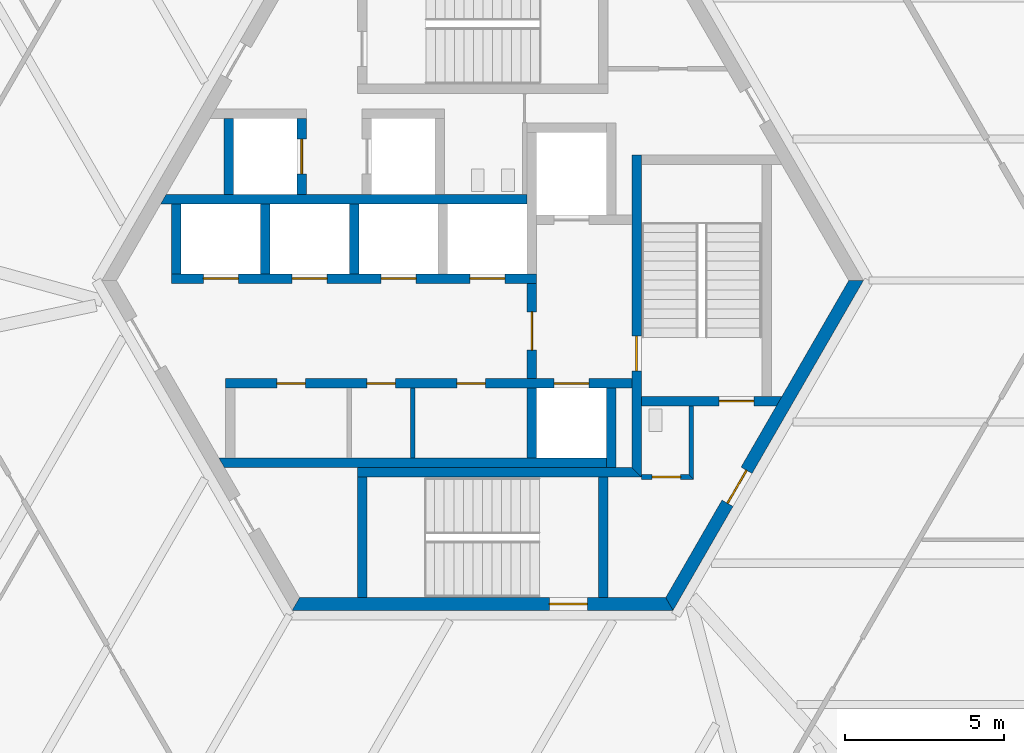
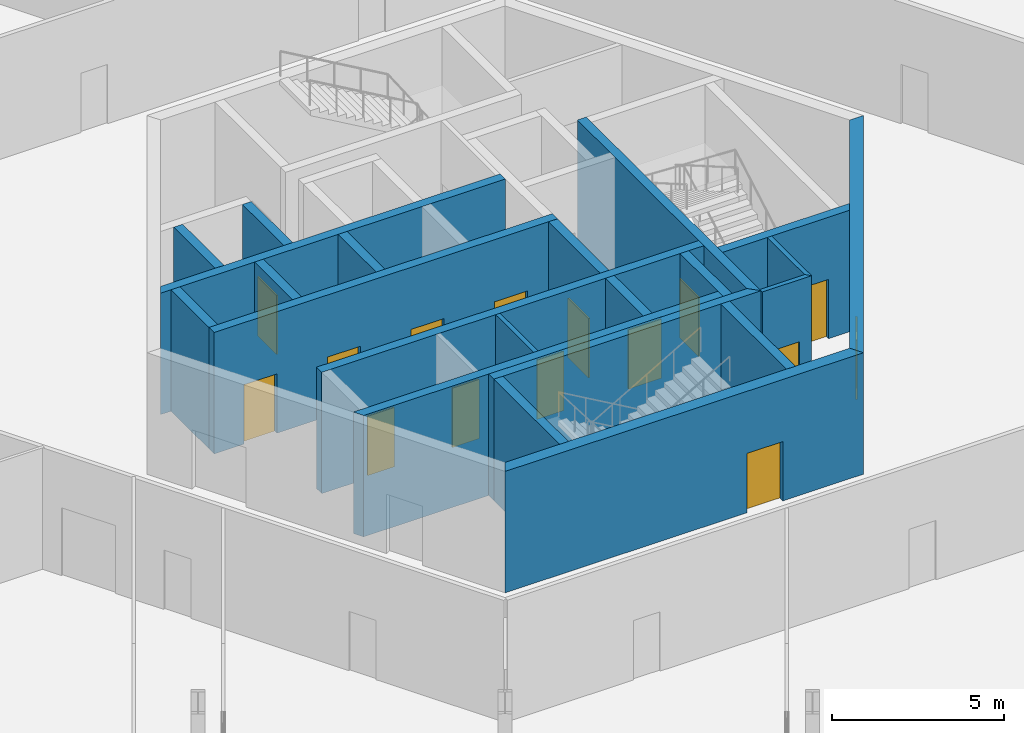
# One storey, part 19 of 25: 22 walls, 15 doors, 15 openings.
"""IFC4 building model written with IfcOpenShell, lengths in metres."""

import ifcopenshell
import ifcopenshell.guid

model = None  # the IFC model being written
_history = None  # IfcOwnerHistory: only IFC2X3 demands one
_inside = {}  # id of a spatial element -> (the spatial element, [elements in it])
_under = {}  # id of a project, library or spatial element -> (it, [spatial elements below it])
_declared = {}  # id of a project -> (the project, [libraries it declares])
_typed = {}  # id of a type object -> (the type object, [elements of that type])
_made_of = {}  # id of a material, layer set ... -> (it, [elements and type objects made of it])


def new_model(schema):
    """Start an empty IFC model of exactly this schema.

    Asked for "IFC4X3", IfcOpenShell would pick the latest addendum, in which some entities
    have other attributes; the version numbers below select the first issue.
    IFC2X3 requires an IfcOwnerHistory on every rooted entity: one is made here for all.
    """
    global model, _history
    if schema == "IFC4X3":
        model = ifcopenshell.file(schema_version=(4, 3, 0, 0))
    else:
        model = ifcopenshell.file(schema=schema)
    _inside.clear()
    _under.clear()
    _declared.clear()
    _typed.clear()
    _made_of.clear()
    _history = None
    if model.schema == "IFC2X3":
        org = make("IfcOrganization", Name="unknown")
        user = make(
            "IfcPersonAndOrganization",
            ThePerson=make("IfcPerson", FamilyName="unknown"),
            TheOrganization=org,
        )
        app = make(
            "IfcApplication",
            ApplicationDeveloper=org,
            Version="unknown",
            ApplicationFullName="unknown",
            ApplicationIdentifier="unknown",
        )
        _history = make(
            "IfcOwnerHistory",
            OwningUser=user,
            OwningApplication=app,
            ChangeAction="ADDED",
            CreationDate=0,
        )
    return model


def make(cls, **values):
    """One entity of the class cls with the attributes given. An attribute that is None is left unset."""
    return model.create_entity(
        cls, **{name: value for name, value in values.items() if value is not None}
    )


def rooted(cls, **values):
    """An entity with a GlobalId (a new one), such as an element, a storey or a relation."""
    return make(cls, GlobalId=ifcopenshell.guid.new(), OwnerHistory=_history, **values)


def si_unit(unit_type, name, prefix=None):
    """IfcSIUnit, for example si_unit("LENGTHUNIT", "METRE", prefix="MILLI")."""
    return make("IfcSIUnit", UnitType=unit_type, Prefix=prefix, Name=name)


def assignment(units):
    """IfcUnitAssignment: the units of a project."""
    return None if units is None else make("IfcUnitAssignment", Units=units)


def point(xyz):
    """IfcCartesianPoint."""
    return None if xyz is None else make("IfcCartesianPoint", Coordinates=xyz)


def direction(xyz):
    """IfcDirection."""
    return None if xyz is None else make("IfcDirection", DirectionRatios=xyz)


def frame(location, z_axis=None, x_axis=None):
    """IfcAxis2Placement3D, a coordinate frame: its origin and axes. An axis left out is left unset."""
    return make(
        "IfcAxis2Placement3D",
        Location=point(location),
        Axis=direction(z_axis),
        RefDirection=direction(x_axis),
    )


def frame_2d(location, x_axis=None):
    """IfcAxis2Placement2D, a coordinate frame in the plane: its origin and x axis."""
    return make(
        "IfcAxis2Placement2D", Location=point(location), RefDirection=direction(x_axis)
    )


def origin():
    """The frame at (0, 0, 0) with its axes left unset."""
    return frame((0.0, 0.0, 0.0))


def place(relative_to, where):
    """IfcLocalPlacement: puts the frame where relative to a parent placement (None: the world)."""
    return make(
        "IfcLocalPlacement", PlacementRelTo=relative_to, RelativePlacement=where
    )


def context(
    kind, dimensions, precision=None, world=None, true_north=None, identifier=None
):
    """IfcGeometricRepresentationContext, for example the 3D "Model" context."""
    return make(
        "IfcGeometricRepresentationContext",
        ContextIdentifier=identifier,
        ContextType=kind,
        CoordinateSpaceDimension=dimensions,
        Precision=precision,
        WorldCoordinateSystem=world,
        TrueNorth=true_north,
    )


def subcontext(parent, identifier, kind, view, scale=None):
    """IfcGeometricRepresentationSubContext, for example "Body" below "Model"."""
    return make(
        "IfcGeometricRepresentationSubContext",
        ContextIdentifier=identifier,
        ContextType=kind,
        ParentContext=parent,
        TargetScale=scale,
        TargetView=view,
    )


def project(units=None, contexts=None):
    """IfcProject with its units and contexts."""
    return rooted(
        "IfcProject",
        Name="project",
        RepresentationContexts=contexts,
        UnitsInContext=assignment(units),
    )


def spatial(cls, under=None, at=None, **own):
    """A site, building, storey or space (cls), placed at a placement, below another one or the project."""
    s = rooted(cls, ObjectPlacement=at, **own)
    if under is not None:
        _under.setdefault(under.id(), (under, []))[1].append(s)
    return s


def polyline(points):
    """IfcPolyline through the points."""
    return make("IfcPolyline", Points=[point(p) for p in points])


def profile(cls, at=None, kind="AREA", **sizes):
    """A parametric profile (cls). Its sizes go by their IFC names, for example OverallWidth=200.0."""
    return make(cls, ProfileType=kind, Position=at, **sizes)


def rectangle(**sizes):
    """IfcRectangleProfileDef."""
    return profile("IfcRectangleProfileDef", **sizes)


def outline(outer, holes=None, kind="AREA"):
    """IfcArbitraryClosedProfileDef: a profile drawn as a closed curve; with holes, ...WithVoids."""
    if holes is None:
        return make("IfcArbitraryClosedProfileDef", ProfileType=kind, OuterCurve=outer)
    return make(
        "IfcArbitraryProfileDefWithVoids",
        ProfileType=kind,
        OuterCurve=outer,
        InnerCurves=holes,
    )


def extrude(swept, where, along, depth):
    """IfcExtrudedAreaSolid: the profile swept, set in the frame where, extruded along a direction by depth."""
    return make(
        "IfcExtrudedAreaSolid",
        SweptArea=swept,
        Position=where,
        ExtrudedDirection=direction(along),
        Depth=depth,
    )


def shape(context_of_items, identifier, shape_type, items):
    """IfcShapeRepresentation: the items that make up one representation, for example the "Body"."""
    return make(
        "IfcShapeRepresentation",
        ContextOfItems=context_of_items,
        RepresentationIdentifier=identifier,
        RepresentationType=shape_type,
        Items=items,
    )


def source(mapping_origin, context_of_items, identifier, shape_type, items):
    """IfcRepresentationMap: a shape defined once, which mapped items show again and again."""
    return make(
        "IfcRepresentationMap",
        MappingOrigin=mapping_origin,
        MappedRepresentation=shape(context_of_items, identifier, shape_type, items),
    )


def transform(
    local_origin,
    x_axis=None,
    y_axis=None,
    z_axis=None,
    scale=None,
    scale2=None,
    scale3=None,
    uniform=True,
):
    """IfcCartesianTransformationOperator3D, or its non-uniform kind. x_axis, y_axis, z_axis: its Axis1, 2, 3."""
    if uniform:
        return make(
            "IfcCartesianTransformationOperator3D",
            Axis1=direction(x_axis),
            Axis2=direction(y_axis),
            LocalOrigin=point(local_origin),
            Scale=scale,
            Axis3=direction(z_axis),
        )
    return make(
        "IfcCartesianTransformationOperator3DnonUniform",
        Axis1=direction(x_axis),
        Axis2=direction(y_axis),
        LocalOrigin=point(local_origin),
        Scale=scale,
        Axis3=direction(z_axis),
        Scale2=scale2,
        Scale3=scale3,
    )


def mapped(mapping_source, mapping_target):
    """IfcMappedItem: shows the shape of a source again, moved by a transform."""
    return make(
        "IfcMappedItem", MappingSource=mapping_source, MappingTarget=mapping_target
    )


def material(Name=None, Category=None):
    """IfcMaterial."""
    return make("IfcMaterial", Name=Name, Category=Category)


def layer(
    of_material, thickness, ventilated=None, Name=None, Category=None, Priority=None
):
    """IfcMaterialLayer: one layer of a wall or slab, of a material (None: an air gap)."""
    return make(
        "IfcMaterialLayer",
        Material=of_material,
        LayerThickness=thickness,
        IsVentilated=ventilated,
        Name=Name,
        Category=Category,
        Priority=Priority,
    )


def layer_set(layers, Name=None):
    """IfcMaterialLayerSet."""
    return make("IfcMaterialLayerSet", MaterialLayers=layers, LayerSetName=Name)


def made_of(thing, what):
    """Note that an element or type object is made of a material, layer set ...; save() writes the relation."""
    if what is not None:
        _made_of.setdefault(what.id(), (what, []))[1].append(thing)
    return thing


def type_object(cls, material=None, **own):
    """A type object (cls), such as IfcWallType, which elements share."""
    return made_of(rooted(cls, **own), material)


def element(
    cls,
    number,
    at=None,
    inside=None,
    cuts=None,
    type_object=None,
    material=None,
    context=None,
    identifier="Body",
    shape_type=None,
    held_by="IfcProductDefinitionShape",
    body=None,
    shapes=None,
    **own,
):
    """One element of the class cls, such as IfcWall. Its Tag is "e" and its number.

    at: its placement. inside: the storey or other place that contains it. cuts: it is an
    opening in that element (IfcRelVoidsElement). A single representation is given by context,
    identifier, shape_type and body (its items); several are given by shapes. held_by: the class
    of the entity that holds the representations. save() writes the other relations.
    """
    e = rooted(cls, Tag="e%d" % number, ObjectPlacement=at, **own)
    if body is not None:
        shapes = [shape(context, identifier, shape_type, body)]
    if shapes is not None:
        e.Representation = make(held_by, Representations=shapes)
    if inside is not None:
        _inside.setdefault(inside.id(), (inside, []))[1].append(e)
    if cuts is not None:
        rooted(
            "IfcRelVoidsElement", RelatingBuildingElement=cuts, RelatedOpeningElement=e
        )
    if type_object is not None:
        _typed.setdefault(type_object.id(), (type_object, []))[1].append(e)
    return made_of(e, material)


def fill(opening, filler):
    """IfcRelFillsElement: the door or window that sits in an opening."""
    return rooted(
        "IfcRelFillsElement",
        RelatingOpeningElement=opening,
        RelatedBuildingElement=filler,
    )


def aggregate(whole, parts):
    """IfcRelAggregates: a whole, such as a stair, and the parts it consists of."""
    return rooted("IfcRelAggregates", RelatingObject=whole, RelatedObjects=parts)


def save(model, path):
    """Write the relations noted so far, then the file.

    IfcRelAggregates (storeys below a building ...), IfcRelContainedInSpatialStructure (elements
    in a storey), IfcRelDefinesByType, IfcRelAssociatesMaterial and IfcRelDeclares: one each for
    every whole, place, type object, material and project.
    """
    for whole, parts in _under.values():
        aggregate(whole, parts)
    for where, things in _inside.values():
        rooted(
            "IfcRelContainedInSpatialStructure",
            RelatedElements=things,
            RelatingStructure=where,
        )
    for kind, things in _typed.values():
        rooted("IfcRelDefinesByType", RelatedObjects=things, RelatingType=kind)
    for what, things in _made_of.values():
        rooted("IfcRelAssociatesMaterial", RelatedObjects=things, RelatingMaterial=what)
    for by, libraries in _declared.values():
        rooted("IfcRelDeclares", RelatingContext=by, RelatedDefinitions=libraries)
    model.write(path)


model = new_model("IFC4")

# Units and contexts
model_context = context("Model", 3, precision=1e-05, world=origin(), true_north=direction((0.0, 1.0)))
body_context = subcontext(model_context, "Body", "Model", "MODEL_VIEW")
ifc_project = project(units=[si_unit("LENGTHUNIT", "METRE"), si_unit("AREAUNIT", "SQUARE_METRE"), si_unit("VOLUMEUNIT", "CUBIC_METRE"), si_unit("PLANEANGLEUNIT", "RADIAN"), si_unit("MASSUNIT", "GRAM", prefix="KILO")], contexts=[model_context])

# Site, building, storey
site_placement = place(None, origin())
site = spatial("IfcSite", under=ifc_project, at=site_placement, CompositionType="ELEMENT")
building_placement = place(site_placement, origin())
building = spatial("IfcBuilding", under=site, at=building_placement, Name="Triune Harvest Tower", CompositionType="ELEMENT")
storey_placement = place(building_placement, frame((0.0, 0.0, 11.5)))
storey = spatial("IfcBuildingStorey", under=building, at=storey_placement, Name="L02", CompositionType="ELEMENT", Elevation=11.5)

# Wall, opening, door
ifc_material_1 = material(Name="Concrete 70 MPa", Category="concrete")
ifc_layer_1 = layer(ifc_material_1, 0.39990234375)
ifc_layer_set_1 = layer_set([ifc_layer_1], Name="Concrete 70 MPa")
wall_type_1 = type_object("IfcWallType", Name="Core wall 400", PredefinedType="SHEAR", material=ifc_layer_set_1)
shared_shape_1 = source(origin(), body_context, "Body", "SweptSolid", [
    extrude(outline(polyline([(-0.115478515625, -0.199951171875), (11.884521484375, -0.199951171875), (11.653564453125, 0.199951171875), (0.115478515625, 0.199951171875), (-0.115478515625, -0.199951171875)])), origin(), (0.0, 0.0, 1.0), 4.300048828125),
])
wall_1_placement = place(storey_placement, frame((-5.884521484375, -10.1923828125, 0.0), z_axis=(0.0, 0.0, 1.0), x_axis=(1.0, 0.0, 0.0)))
wall_1 = element("IfcWall", 1, at=wall_1_placement, inside=storey, type_object=wall_type_1, Name="Hexagon 4 wall", PredefinedType="SHEAR", context=body_context, shape_type="MappedRepresentation", body=[
    mapped(shared_shape_1, transform((0.0, 0.0, 0.0), scale=1.0)),
])
opening_1_placement = place(wall_1_placement, frame((7.984619140625, 0.0, 0.0)))
opening_1 = element("IfcOpeningElement", 2, at=opening_1_placement, cuts=wall_1, Name="Opening CD-S2P", PredefinedType="OPENING", context=body_context, shape_type="SweptSolid", body=[
    extrude(rectangle(XDim=1.199951171875, YDim=2.10009765625, at=frame_2d((0.60009765625, 1.050048828125))), frame((0.0, 0.2099609375, 0.0), z_axis=(0.0, -1.0, 0.0), x_axis=(1.0, 0.0, 0.0)), (0.0, 0.0, 1.0), 0.419921875),
])
ifc_material_2 = material(Name="Steel S235", Category="steel")
door_type_1 = type_object("IfcDoorType", Name="Stair door 1200 FD120", OperationType="SINGLE_SWING_LEFT", PredefinedType="DOOR", material=ifc_material_2)
door_1_placement = place(opening_1_placement, frame((1.199951171875, 0.0, 0.0), z_axis=(0.0, 0.0, 1.0), x_axis=(-1.0, 0.0, 0.0)))
door_1 = element("IfcDoor", 3, at=door_1_placement, inside=storey, type_object=door_type_1, Name="Door CD-S2P", OperationType="SINGLE_SWING_RIGHT", OverallHeight=2.10009765625, OverallWidth=1.199951171875, PredefinedType="DOOR", context=body_context, shape_type="SweptSolid", body=[
    extrude(rectangle(XDim=1.199951171875, YDim=2.10009765625, at=frame_2d((0.60009765625, 1.050048828125))), frame((0.0, 0.02490234375, 0.0), z_axis=(0.0, -1.0, 0.0), x_axis=(1.0, 0.0, 0.0)), (0.0, 0.0, 1.0), 0.050048828125),
])
fill(opening_1, door_1)

wall_2_placement = place(storey_placement, frame((5.884521484375, -10.1923828125, 0.0), z_axis=(0.0, 0.0, 1.0), x_axis=(0.499996592174, 0.866027371285, 0.0)))
wall_2 = element("IfcWall", 4, at=wall_2_placement, inside=storey, type_object=wall_type_1, Name="Hexagon 5 wall", PredefinedType="SHEAR", context=body_context, shape_type="MappedRepresentation", body=[
    mapped(shared_shape_1, transform((0.0, 0.0, 0.0), scale=1.0)),
])
opening_2_placement = place(wall_2_placement, frame((3.66455078125, 0.0, 0.0)))
opening_2 = element("IfcOpeningElement", 5, at=opening_2_placement, cuts=wall_2, Name="Opening CD-DP", PredefinedType="OPENING", context=body_context, shape_type="SweptSolid", body=[
    extrude(rectangle(XDim=1.199951171875, YDim=2.10009765625, at=frame_2d((0.60009765625, 1.050048828125))), frame((0.0, 0.2099609375, 0.0), z_axis=(0.0, -1.0, 0.0), x_axis=(1.0, 0.0, 0.0)), (0.0, 0.0, 1.0), 0.419921875),
])
door_2_placement = place(opening_2_placement, frame((1.199951171875, 0.0, 0.0), z_axis=(0.0, 0.0, 1.0), x_axis=(-1.0, 0.0, 0.0)))
door_2 = element("IfcDoor", 6, at=door_2_placement, inside=storey, type_object=door_type_1, Name="Door CD-DP", OperationType="SINGLE_SWING_RIGHT", OverallHeight=2.10009765625, OverallWidth=1.199951171875, PredefinedType="DOOR", context=body_context, shape_type="SweptSolid", body=[
    extrude(rectangle(XDim=1.199951171875, YDim=2.10009765625, at=frame_2d((0.60009765625, 1.050048828125))), frame((0.0, 0.02490234375, 0.0), z_axis=(0.0, -1.0, 0.0), x_axis=(1.0, 0.0, 0.0)), (0.0, 0.0, 1.0), 0.050048828125),
])
fill(opening_2, door_2)

# Wall, openings, doors
ifc_material_3 = material(Name="Concrete 70 MPa", Category="concrete")
ifc_layer_2 = layer(ifc_material_3, 0.300048828125)
ifc_layer_set_2 = layer_set([ifc_layer_2], Name="Concrete 70 MPa")
wall_type_2 = type_object("IfcWallType", Name="Core wall 300", PredefinedType="SHEAR", material=ifc_layer_set_2)
shared_shape_2 = source(origin(), body_context, "Body", "SweptSolid", [
    extrude(rectangle(XDim=11.5, YDim=0.300048828125, at=frame_2d((5.75, 0.0))), origin(), (0.0, 0.0, 1.0), 4.300048828125),
])
wall_3_placement = place(storey_placement, frame((-9.800048828125, 0.06005859375, 0.0), z_axis=(0.0, 0.0, 1.0), x_axis=(1.0, 0.0, 0.0)))
wall_3 = element("IfcWall", 7, at=wall_3_placement, inside=storey, type_object=wall_type_2, Name="North front wall", PredefinedType="SHEAR", context=body_context, shape_type="MappedRepresentation", body=[
    mapped(shared_shape_2, transform((0.0, 0.0, 0.0), scale=1.0)),
])
opening_3_placement = place(wall_3_placement, frame((1.0, 0.0, 0.0)))
opening_3 = element("IfcOpeningElement", 8, at=opening_3_placement, cuts=wall_3, Name="Opening LD-LR1-02", PredefinedType="OPENING", context=body_context, shape_type="SweptSolid", body=[
    extrude(rectangle(XDim=1.10009765625, YDim=2.10009765625, at=frame_2d((0.550048828125, 1.050048828125))), frame((0.0, 0.16015625, 0.0), z_axis=(0.0, -1.0, 0.0), x_axis=(1.0, 0.0, 0.0)), (0.0, 0.0, 1.0), 0.320068359375),
])
opening_4_placement = place(wall_3_placement, frame((3.800048828125, 0.0, 0.0)))
opening_4 = element("IfcOpeningElement", 9, at=opening_4_placement, cuts=wall_3, Name="Opening LD-LR2-02", PredefinedType="OPENING", context=body_context, shape_type="SweptSolid", body=[
    extrude(rectangle(XDim=1.10009765625, YDim=2.10009765625, at=frame_2d((0.550048828125, 1.050048828125))), frame((0.0, 0.16015625, 0.0), z_axis=(0.0, -1.0, 0.0), x_axis=(1.0, 0.0, 0.0)), (0.0, 0.0, 1.0), 0.320068359375),
])
opening_5_placement = place(wall_3_placement, frame((6.60009765625, 0.0, 0.0)))
opening_5 = element("IfcOpeningElement", 10, at=opening_5_placement, cuts=wall_3, Name="Opening LD-LR3-02", PredefinedType="OPENING", context=body_context, shape_type="SweptSolid", body=[
    extrude(rectangle(XDim=1.10009765625, YDim=2.10009765625, at=frame_2d((0.550048828125, 1.050048828125))), frame((0.0, 0.16015625, 0.0), z_axis=(0.0, -1.0, 0.0), x_axis=(1.0, 0.0, 0.0)), (0.0, 0.0, 1.0), 0.320068359375),
])
opening_6_placement = place(wall_3_placement, frame((9.39990234375, 0.0, 0.0)))
opening_6 = element("IfcOpeningElement", 11, at=opening_6_placement, cuts=wall_3, Name="Opening LD-LR4-02", PredefinedType="OPENING", context=body_context, shape_type="SweptSolid", body=[
    extrude(rectangle(XDim=1.10009765625, YDim=2.10009765625, at=frame_2d((0.550048828125, 1.050048828125))), frame((0.0, 0.16015625, 0.0), z_axis=(0.0, -1.0, 0.0), x_axis=(1.0, 0.0, 0.0)), (0.0, 0.0, 1.0), 0.320068359375),
])
ifc_material_4 = material(Name="Stainless steel AISI 304", Category="steel")
door_type_2 = type_object("IfcDoorType", Name="Landing door 1100 x 2100", OperationType="DOUBLE_DOOR_SLIDING", PredefinedType="DOOR", material=ifc_material_4)
door_3_placement = place(opening_3_placement, origin())
door_3 = element("IfcDoor", 12, at=door_3_placement, inside=storey, type_object=door_type_2, Name="Door LD-LR1-02", OperationType="DOUBLE_DOOR_SLIDING", OverallHeight=2.10009765625, OverallWidth=1.10009765625, PredefinedType="DOOR", context=body_context, shape_type="SweptSolid", body=[
    extrude(rectangle(XDim=1.10009765625, YDim=2.10009765625, at=frame_2d((0.550048828125, 1.050048828125))), frame((0.0, 0.02490234375, 0.0), z_axis=(0.0, -1.0, 0.0), x_axis=(1.0, 0.0, 0.0)), (0.0, 0.0, 1.0), 0.050048828125),
])
fill(opening_3, door_3)
door_4_placement = place(opening_4_placement, origin())
door_4 = element("IfcDoor", 13, at=door_4_placement, inside=storey, type_object=door_type_2, Name="Door LD-LR2-02", OperationType="DOUBLE_DOOR_SLIDING", OverallHeight=2.10009765625, OverallWidth=1.10009765625, PredefinedType="DOOR", context=body_context, shape_type="SweptSolid", body=[
    extrude(rectangle(XDim=1.10009765625, YDim=2.10009765625, at=frame_2d((0.550048828125, 1.050048828125))), frame((0.0, 0.02490234375, 0.0), z_axis=(0.0, -1.0, 0.0), x_axis=(1.0, 0.0, 0.0)), (0.0, 0.0, 1.0), 0.050048828125),
])
fill(opening_4, door_4)
door_5_placement = place(opening_5_placement, origin())
door_5 = element("IfcDoor", 14, at=door_5_placement, inside=storey, type_object=door_type_2, Name="Door LD-LR3-02", OperationType="DOUBLE_DOOR_SLIDING", OverallHeight=2.10009765625, OverallWidth=1.10009765625, PredefinedType="DOOR", context=body_context, shape_type="SweptSolid", body=[
    extrude(rectangle(XDim=1.10009765625, YDim=2.10009765625, at=frame_2d((0.550048828125, 1.050048828125))), frame((0.0, 0.02490234375, 0.0), z_axis=(0.0, -1.0, 0.0), x_axis=(1.0, 0.0, 0.0)), (0.0, 0.0, 1.0), 0.050048828125),
])
fill(opening_5, door_5)
door_6_placement = place(opening_6_placement, origin())
door_6 = element("IfcDoor", 15, at=door_6_placement, inside=storey, type_object=door_type_2, Name="Door LD-LR4-02", OperationType="DOUBLE_DOOR_SLIDING", OverallHeight=2.10009765625, OverallWidth=1.10009765625, PredefinedType="DOOR", context=body_context, shape_type="SweptSolid", body=[
    extrude(rectangle(XDim=1.10009765625, YDim=2.10009765625, at=frame_2d((0.550048828125, 1.050048828125))), frame((0.0, 0.02490234375, 0.0), z_axis=(0.0, -1.0, 0.0), x_axis=(1.0, 0.0, 0.0)), (0.0, 0.0, 1.0), 0.050048828125),
])
fill(opening_6, door_6)

# Walls
shared_shape_3 = source(origin(), body_context, "Body", "SweptSolid", [
    extrude(outline(polyline([(11.199951171875, -0.14990234375), (-0.34912109375, -0.14990234375), (-0.17578125, 0.14990234375), (11.199951171875, 0.14990234375), (11.199951171875, -0.14990234375)])), origin(), (0.0, 0.0, 1.0), 4.300048828125),
])
wall_4_placement = place(storey_placement, frame((-9.800048828125, 2.56005859375, 0.0), z_axis=(0.0, 0.0, 1.0), x_axis=(1.0, 0.0, 0.0)))
element("IfcWall", 16, at=wall_4_placement, inside=storey, type_object=wall_type_2, Name="North back wall", PredefinedType="SHEAR", context=body_context, shape_type="MappedRepresentation", body=[
    mapped(shared_shape_3, transform((0.0, 0.0, 0.0), scale=1.0)),
])
shared_shape_4 = source(origin(), body_context, "Body", "SweptSolid", [
    extrude(rectangle(XDim=2.5, YDim=0.300048828125, at=frame_2d((1.25, 0.0))), origin(), (0.0, 0.0, 1.0), 4.300048828125),
])
wall_5_placement = place(storey_placement, frame((4.050048828125, -5.889892578125, 0.0), z_axis=(0.0, 0.0, 1.0), x_axis=(0.0, 1.0, 0.0)))
element("IfcWall", 17, at=wall_5_placement, inside=storey, type_object=wall_type_2, Name="Ff2 east wall", PredefinedType="SHEAR", context=body_context, shape_type="MappedRepresentation", body=[
    mapped(shared_shape_4, transform((0.0, 0.0, 0.0), scale=1.0)),
])

# Wall, opening, door
shared_shape_5 = source(origin(), body_context, "Body", "SweptSolid", [
    extrude(rectangle(XDim=3.0, YDim=0.300048828125, at=frame_2d((1.5, 0.0))), origin(), (0.0, 0.0, 1.0), 4.300048828125),
])
wall_6_placement = place(storey_placement, frame((1.550048828125, -3.090087890625, 0.0), z_axis=(0.0, 0.0, 1.0), x_axis=(0.0, 1.0, 0.0)))
wall_6 = element("IfcWall", 18, at=wall_6_placement, inside=storey, type_object=wall_type_2, Name="Ff lobby west wall", PredefinedType="SHEAR", context=body_context, shape_type="MappedRepresentation", body=[
    mapped(shared_shape_5, transform((0.0, 0.0, 0.0), scale=1.0)),
])
opening_7_placement = place(wall_6_placement, frame((0.89990234375, 0.0, 0.0)))
opening_7 = element("IfcOpeningElement", 19, at=opening_7_placement, cuts=wall_6, Name="Opening CD-FL", PredefinedType="OPENING", context=body_context, shape_type="SweptSolid", body=[
    extrude(rectangle(XDim=1.199951171875, YDim=2.10009765625, at=frame_2d((0.60009765625, 1.050048828125))), frame((0.0, 0.16015625, 0.0), z_axis=(0.0, -1.0, 0.0), x_axis=(1.0, 0.0, 0.0)), (0.0, 0.0, 1.0), 0.320068359375),
])
ifc_material_5 = material(Name="Steel S235", Category="steel")
door_type_3 = type_object("IfcDoorType", Name="Firefighters' lobby door 1200 FD120", OperationType="SINGLE_SWING_LEFT", PredefinedType="DOOR", material=ifc_material_5)
door_7_placement = place(opening_7_placement, frame((1.199951171875, 0.0, 0.0), z_axis=(0.0, 0.0, 1.0), x_axis=(-1.0, 0.0, 0.0)))
door_7 = element("IfcDoor", 20, at=door_7_placement, inside=storey, type_object=door_type_3, Name="Door CD-FL", OperationType="SINGLE_SWING_RIGHT", OverallHeight=2.10009765625, OverallWidth=1.199951171875, PredefinedType="DOOR", context=body_context, shape_type="SweptSolid", body=[
    extrude(rectangle(XDim=1.199951171875, YDim=2.10009765625, at=frame_2d((0.60009765625, 1.050048828125))), frame((0.0, 0.02490234375, 0.0), z_axis=(0.0, -1.0, 0.0), x_axis=(1.0, 0.0, 0.0)), (0.0, 0.0, 1.0), 0.050048828125),
])
fill(opening_7, door_7)

# Wall, openings, doors
shared_shape_6 = source(origin(), body_context, "Body", "SweptSolid", [
    extrude(rectangle(XDim=12.800048828125, YDim=0.300048828125, at=frame_2d((6.39990234375, 0.0))), origin(), (0.0, 0.0, 1.0), 4.300048828125),
])
wall_7_placement = place(storey_placement, frame((-8.10009765625, -3.239990234375, 0.0), z_axis=(0.0, 0.0, 1.0), x_axis=(1.0, 0.0, 0.0)))
wall_7 = element("IfcWall", 21, at=wall_7_placement, inside=storey, type_object=wall_type_2, Name="South front wall", PredefinedType="SHEAR", context=body_context, shape_type="MappedRepresentation", body=[
    mapped(shared_shape_6, transform((0.0, 0.0, 0.0), scale=1.0)),
])
opening_8_placement = place(wall_7_placement, frame((1.612548828125, 0.0, 0.0)))
opening_8 = element("IfcOpeningElement", 22, at=opening_8_placement, cuts=wall_7, Name="Opening CD-RS1", PredefinedType="OPENING", context=body_context, shape_type="SweptSolid", body=[
    extrude(rectangle(XDim=0.89990234375, YDim=2.10009765625, at=frame_2d((0.449951171875, 1.050048828125))), frame((0.0, 0.16015625, 0.0), z_axis=(0.0, -1.0, 0.0), x_axis=(1.0, 0.0, 0.0)), (0.0, 0.0, 1.0), 0.320068359375),
])
opening_9_placement = place(wall_7_placement, frame((4.449951171875, 0.0, 0.0)))
opening_9 = element("IfcOpeningElement", 23, at=opening_9_placement, cuts=wall_7, Name="Opening CD-RS2", PredefinedType="OPENING", context=body_context, shape_type="SweptSolid", body=[
    extrude(rectangle(XDim=0.89990234375, YDim=2.10009765625, at=frame_2d((0.449951171875, 1.050048828125))), frame((0.0, 0.16015625, 0.0), z_axis=(0.0, -1.0, 0.0), x_axis=(1.0, 0.0, 0.0)), (0.0, 0.0, 1.0), 0.320068359375),
])
opening_10_placement = place(wall_7_placement, frame((7.28759765625, 0.0, 0.0)))
opening_10 = element("IfcOpeningElement", 24, at=opening_10_placement, cuts=wall_7, Name="Opening CD-RS3", PredefinedType="OPENING", context=body_context, shape_type="SweptSolid", body=[
    extrude(rectangle(XDim=0.89990234375, YDim=2.10009765625, at=frame_2d((0.449951171875, 1.050048828125))), frame((0.0, 0.16015625, 0.0), z_axis=(0.0, -1.0, 0.0), x_axis=(1.0, 0.0, 0.0)), (0.0, 0.0, 1.0), 0.320068359375),
])
opening_11_placement = place(wall_7_placement, frame((10.35009765625, 0.0, 0.0)))
opening_11 = element("IfcOpeningElement", 25, at=opening_11_placement, cuts=wall_7, Name="Opening LD-FF2-02", PredefinedType="OPENING", context=body_context, shape_type="SweptSolid", body=[
    extrude(rectangle(XDim=1.10009765625, YDim=2.10009765625, at=frame_2d((0.550048828125, 1.050048828125))), frame((0.0, 0.16015625, 0.0), z_axis=(0.0, -1.0, 0.0), x_axis=(1.0, 0.0, 0.0)), (0.0, 0.0, 1.0), 0.320068359375),
])
door_8_placement = place(opening_11_placement, origin())
door_8 = element("IfcDoor", 26, at=door_8_placement, inside=storey, type_object=door_type_2, Name="Door LD-FF2-02", OperationType="DOUBLE_DOOR_SLIDING", OverallHeight=2.10009765625, OverallWidth=1.10009765625, PredefinedType="DOOR", context=body_context, shape_type="SweptSolid", body=[
    extrude(rectangle(XDim=1.10009765625, YDim=2.10009765625, at=frame_2d((0.550048828125, 1.050048828125))), frame((0.0, 0.02490234375, 0.0), z_axis=(0.0, -1.0, 0.0), x_axis=(1.0, 0.0, 0.0)), (0.0, 0.0, 1.0), 0.050048828125),
])
fill(opening_11, door_8)
ifc_material_6 = material(Name="Steel S235", Category="steel")
door_type_4 = type_object("IfcDoorType", Name="Riser door 900 FD120", OperationType="SINGLE_SWING_LEFT", PredefinedType="DOOR", material=ifc_material_6)
door_9_placement = place(opening_8_placement, origin())
door_9 = element("IfcDoor", 27, at=door_9_placement, inside=storey, type_object=door_type_4, Name="Door CD-RS1", OperationType="SINGLE_SWING_LEFT", OverallHeight=2.10009765625, OverallWidth=0.89990234375, PredefinedType="DOOR", context=body_context, shape_type="SweptSolid", body=[
    extrude(rectangle(XDim=0.89990234375, YDim=2.10009765625, at=frame_2d((0.449951171875, 1.050048828125))), frame((0.0, 0.02490234375, 0.0), z_axis=(0.0, -1.0, 0.0), x_axis=(1.0, 0.0, 0.0)), (0.0, 0.0, 1.0), 0.050048828125),
])
fill(opening_8, door_9)
door_10_placement = place(opening_9_placement, origin())
door_10 = element("IfcDoor", 28, at=door_10_placement, inside=storey, type_object=door_type_4, Name="Door CD-RS2", OperationType="SINGLE_SWING_LEFT", OverallHeight=2.10009765625, OverallWidth=0.89990234375, PredefinedType="DOOR", context=body_context, shape_type="SweptSolid", body=[
    extrude(rectangle(XDim=0.89990234375, YDim=2.10009765625, at=frame_2d((0.449951171875, 1.050048828125))), frame((0.0, 0.02490234375, 0.0), z_axis=(0.0, -1.0, 0.0), x_axis=(1.0, 0.0, 0.0)), (0.0, 0.0, 1.0), 0.050048828125),
])
fill(opening_9, door_10)
door_11_placement = place(opening_10_placement, origin())
door_11 = element("IfcDoor", 29, at=door_11_placement, inside=storey, type_object=door_type_4, Name="Door CD-RS3", OperationType="SINGLE_SWING_LEFT", OverallHeight=2.10009765625, OverallWidth=0.89990234375, PredefinedType="DOOR", context=body_context, shape_type="SweptSolid", body=[
    extrude(rectangle(XDim=0.89990234375, YDim=2.10009765625, at=frame_2d((0.449951171875, 1.050048828125))), frame((0.0, 0.02490234375, 0.0), z_axis=(0.0, -1.0, 0.0), x_axis=(1.0, 0.0, 0.0)), (0.0, 0.0, 1.0), 0.050048828125),
])
fill(opening_10, door_11)

# Walls
shared_shape_7 = source(origin(), body_context, "Body", "SweptSolid", [
    extrude(outline(polyline([(12.0, -0.14990234375), (-0.039794921875, -0.14990234375), (-0.212890625, 0.14990234375), (12.0, 0.14990234375), (12.0, -0.14990234375)])), origin(), (0.0, 0.0, 1.0), 4.300048828125),
])
wall_8_placement = place(storey_placement, frame((-8.10009765625, -5.739990234375, 0.0), z_axis=(0.0, 0.0, 1.0), x_axis=(1.0, 0.0, 0.0)))
element("IfcWall", 30, at=wall_8_placement, inside=storey, type_object=wall_type_2, Name="South back wall", PredefinedType="SHEAR", context=body_context, shape_type="MappedRepresentation", body=[
    mapped(shared_shape_7, transform((0.0, 0.0, 0.0), scale=1.0)),
])
shared_shape_8 = source(origin(), body_context, "Body", "SweptSolid", [
    extrude(rectangle(XDim=2.2001953125, YDim=0.300048828125, at=frame_2d((1.10009765625, 0.0))), origin(), (0.0, 0.0, 1.0), 4.300048828125),
])
wall_9_placement = place(storey_placement, frame((1.550048828125, -5.590087890625, 0.0), z_axis=(0.0, 0.0, 1.0), x_axis=(0.0, 1.0, 0.0)))
element("IfcWall", 31, at=wall_9_placement, inside=storey, type_object=wall_type_2, Name="Ff2 west wall", PredefinedType="SHEAR", context=body_context, shape_type="MappedRepresentation", body=[
    mapped(shared_shape_8, transform((0.0, 0.0, 0.0), scale=1.0)),
])
shared_shape_9 = source(origin(), body_context, "Body", "SweptSolid", [
    extrude(rectangle(XDim=2.199951171875, YDim=0.300048828125, at=frame_2d((1.10009765625, 0.0))), origin(), (0.0, 0.0, 1.0), 4.300048828125),
])
for number, where, z_axis, x_axis, name in (
    (32, (-9.64990234375, 0.2099609375, 0.0), (0.0, 0.0, 1.0), (0.0, 1.0, 0.0), "North end west wall"),
    (33, (-6.85009765625, 0.2099609375, 0.0), (0.0, 0.0, 1.0), (0.0, 1.0, 0.0), "North cross 1 wall"),
    (34, (-4.050048828125, 0.2099609375, 0.0), (0.0, 0.0, 1.0), (0.0, 1.0, 0.0), "North cross 2 wall"),
):
    element("IfcWall", number, at=place(storey_placement, frame(where, z_axis=z_axis, x_axis=x_axis)), inside=storey, type_object=wall_type_2, Name=name, PredefinedType="SHEAR", context=body_context, shape_type="MappedRepresentation", body=[
        mapped(shared_shape_9, transform((0.0, 0.0, 0.0), scale=1.0)),
    ])

# Wall, opening, door
shared_shape_10 = source(origin(), body_context, "Body", "SweptSolid", [
    extrude(outline(polyline([(-0.14990234375, -0.14990234375), (9.989990234375, -0.14990234375), (9.989990234375, 0.14990234375), (0.14990234375, 0.14990234375), (-0.14990234375, -0.14990234375)])), origin(), (0.0, 0.0, 1.0), 4.300048828125),
])
wall_10_placement = place(storey_placement, frame((4.85009765625, -6.0400390625, 0.0), z_axis=(0.0, 0.0, 1.0), x_axis=(0.0, 1.0, 0.0)))
wall_10 = element("IfcWall", 35, at=wall_10_placement, inside=storey, type_object=wall_type_2, Name="Stair e west wall", PredefinedType="SHEAR", context=body_context, shape_type="MappedRepresentation", body=[
    mapped(shared_shape_10, transform((0.0, 0.0, 0.0), scale=1.0)),
])
opening_12_placement = place(wall_10_placement, frame((3.18994140625, 0.0, 0.0)))
opening_12 = element("IfcOpeningElement", 36, at=opening_12_placement, cuts=wall_10, Name="Opening CD-S3L", PredefinedType="OPENING", context=body_context, shape_type="SweptSolid", body=[
    extrude(rectangle(XDim=1.10009765625, YDim=2.10009765625, at=frame_2d((0.550048828125, 1.050048828125))), frame((0.0, 0.16015625, 0.0), z_axis=(0.0, -1.0, 0.0), x_axis=(1.0, 0.0, 0.0)), (0.0, 0.0, 1.0), 0.320068359375),
])
ifc_material_7 = material(Name="Steel S235", Category="steel")
door_type_5 = type_object("IfcDoorType", Name="Stair door 1100 FD120", OperationType="SINGLE_SWING_LEFT", PredefinedType="DOOR", material=ifc_material_7)
door_12_placement = place(opening_12_placement, frame((1.10009765625, 0.0, 0.0), z_axis=(0.0, 0.0, 1.0), x_axis=(-1.0, 0.0, 0.0)))
door_12 = element("IfcDoor", 37, at=door_12_placement, inside=storey, type_object=door_type_5, Name="Door CD-S3L", OperationType="SINGLE_SWING_RIGHT", OverallHeight=2.10009765625, OverallWidth=1.10009765625, PredefinedType="DOOR", context=body_context, shape_type="SweptSolid", body=[
    extrude(rectangle(XDim=1.10009765625, YDim=2.10009765625, at=frame_2d((0.550048828125, 1.050048828125))), frame((0.0, 0.02490234375, 0.0), z_axis=(0.0, -1.0, 0.0), x_axis=(1.0, 0.0, 0.0)), (0.0, 0.0, 1.0), 0.050048828125),
])
fill(opening_12, door_12)

shared_shape_11 = source(origin(), body_context, "Body", "SweptSolid", [
    extrude(outline(polyline([(0.0, -0.14990234375), (0.0, 0.14990234375), (4.43310546875, 0.14990234375), (4.260009765625, -0.14990234375), (0.0, -0.14990234375)])), origin(), (0.0, 0.0, 1.0), 4.300048828125),
])
wall_11_placement = place(storey_placement, frame((5.0, -3.800048828125, 0.0), z_axis=(0.0, 0.0, 1.0), x_axis=(1.0, 0.0, 0.0)))
wall_11 = element("IfcWall", 38, at=wall_11_placement, inside=storey, type_object=wall_type_2, Name="Stair e south wall", PredefinedType="SHEAR", context=body_context, shape_type="MappedRepresentation", body=[
    mapped(shared_shape_11, transform((0.0, 0.0, 0.0), scale=1.0)),
])
opening_13_placement = place(wall_11_placement, frame((2.449951171875, 0.0, 0.0)))
opening_13 = element("IfcOpeningElement", 39, at=opening_13_placement, cuts=wall_11, Name="Opening CD-S3D", PredefinedType="OPENING", context=body_context, shape_type="SweptSolid", body=[
    extrude(rectangle(XDim=1.10009765625, YDim=2.10009765625, at=frame_2d((0.550048828125, 1.050048828125))), frame((0.0, 0.16015625, 0.0), z_axis=(0.0, -1.0, 0.0), x_axis=(1.0, 0.0, 0.0)), (0.0, 0.0, 1.0), 0.320068359375),
])
door_13_placement = place(opening_13_placement, frame((1.10009765625, 0.0, 0.0), z_axis=(0.0, 0.0, 1.0), x_axis=(-1.0, 0.0, 0.0)))
door_13 = element("IfcDoor", 40, at=door_13_placement, inside=storey, type_object=door_type_5, Name="Door CD-S3D", OperationType="SINGLE_SWING_RIGHT", OverallHeight=2.10009765625, OverallWidth=1.10009765625, PredefinedType="DOOR", context=body_context, shape_type="SweptSolid", body=[
    extrude(rectangle(XDim=1.10009765625, YDim=2.10009765625, at=frame_2d((0.550048828125, 1.050048828125))), frame((0.0, 0.02490234375, 0.0), z_axis=(0.0, -1.0, 0.0), x_axis=(1.0, 0.0, 0.0)), (0.0, 0.0, 1.0), 0.050048828125),
])
fill(opening_13, door_13)

# Walls
shared_shape_12 = source(origin(), body_context, "Body", "SweptSolid", [
    extrude(outline(polyline([(0.0, -0.14990234375), (8.949951171875, -0.14990234375), (8.64990234375, 0.14990234375), (0.0, 0.14990234375), (0.0, -0.14990234375)])), origin(), (0.0, 0.0, 1.0), 4.300048828125),
])
wall_12_placement = place(storey_placement, frame((-3.949951171875, -6.0400390625, 0.0), z_axis=(0.0, 0.0, 1.0), x_axis=(1.0, 0.0, 0.0)))
element("IfcWall", 41, at=wall_12_placement, inside=storey, type_object=wall_type_2, Name="Stair s north wall", PredefinedType="SHEAR", context=body_context, shape_type="MappedRepresentation", body=[
    mapped(shared_shape_12, transform((0.0, 0.0, 0.0), scale=1.0)),
])
shared_shape_13 = source(origin(), body_context, "Body", "SweptSolid", [
    extrude(outline(polyline([(3.800048828125, -0.14990234375), (-0.00439453125, -0.14990234375), (-0.00439453125, 0.14990234375), (3.800048828125, 0.14990234375), (3.800048828125, -0.14990234375)])), origin(), (0.0, 0.0, 1.0), 4.300048828125),
])
for number, where, z_axis, x_axis, name in (
    (42, (-3.800048828125, -9.989990234375, 0.0), (0.0, 0.0, 1.0), (0.0, 1.0, 0.0), "Stair s west wall"),
    (43, (3.800048828125, -9.989990234375, 0.0), (0.0, 0.0, 1.0), (0.0, 1.0, 0.0), "Stair s east wall"),
):
    element("IfcWall", number, at=place(storey_placement, frame(where, z_axis=z_axis, x_axis=x_axis)), inside=storey, type_object=wall_type_2, Name=name, PredefinedType="SHEAR", context=body_context, shape_type="MappedRepresentation", body=[
        mapped(shared_shape_13, transform((0.0, 0.0, 0.0), scale=1.0)),
    ])
shared_shape_14 = source(origin(), body_context, "Body", "SweptSolid", [
    extrude(rectangle(XDim=2.400146484375, YDim=0.300048828125, at=frame_2d((1.2001953125, 0.0))), origin(), (0.0, 0.0, 1.0), 4.300048828125),
])
wall_13_placement = place(storey_placement, frame((-8.0, 2.7099609375, 0.0), z_axis=(0.0, 0.0, 1.0), x_axis=(0.0, 1.0, 0.0)))
element("IfcWall", 44, at=wall_13_placement, inside=storey, type_object=wall_type_2, Name="Sv1 west wall", PredefinedType="SHEAR", context=body_context, shape_type="MappedRepresentation", body=[
    mapped(shared_shape_14, transform((0.0, 0.0, 0.0), scale=1.0)),
])

# Wall, opening, door
wall_14_placement = place(storey_placement, frame((-5.699951171875, 2.7099609375, 0.0), z_axis=(0.0, 0.0, 1.0), x_axis=(0.0, 1.0, 0.0)))
wall_14 = element("IfcWall", 45, at=wall_14_placement, inside=storey, type_object=wall_type_2, Name="Sv1 east wall", PredefinedType="SHEAR", context=body_context, shape_type="MappedRepresentation", body=[
    mapped(shared_shape_14, transform((0.0, 0.0, 0.0), scale=1.0)),
])
opening_14_placement = place(wall_14_placement, frame((0.64990234375, 0.0, 0.0)))
opening_14 = element("IfcOpeningElement", 46, at=opening_14_placement, cuts=wall_14, Name="Opening LD-SV1-02", PredefinedType="OPENING", context=body_context, shape_type="SweptSolid", body=[
    extrude(rectangle(XDim=1.10009765625, YDim=2.10009765625, at=frame_2d((0.550048828125, 1.050048828125))), frame((0.0, 0.16015625, 0.0), z_axis=(0.0, -1.0, 0.0), x_axis=(1.0, 0.0, 0.0)), (0.0, 0.0, 1.0), 0.320068359375),
])
door_14_placement = place(opening_14_placement, origin())
door_14 = element("IfcDoor", 47, at=door_14_placement, inside=storey, type_object=door_type_2, Name="Door LD-SV1-02", OperationType="DOUBLE_DOOR_SLIDING", OverallHeight=2.10009765625, OverallWidth=1.10009765625, PredefinedType="DOOR", context=body_context, shape_type="SweptSolid", body=[
    extrude(rectangle(XDim=1.10009765625, YDim=2.10009765625, at=frame_2d((0.550048828125, 1.050048828125))), frame((0.0, 0.02490234375, 0.0), z_axis=(0.0, -1.0, 0.0), x_axis=(1.0, 0.0, 0.0)), (0.0, 0.0, 1.0), 0.050048828125),
])
fill(opening_14, door_14)

ifc_material_8 = material(Name="Concrete masonry unit", Category="masonry")
ifc_layer_3 = layer(ifc_material_8, 0.14990234375)
ifc_layer_set_3 = layer_set([ifc_layer_3], Name="Concrete masonry unit")
wall_type_3 = type_object("IfcWallType", Name="Block partition 150 unrated", PredefinedType="PARTITIONING", material=ifc_layer_set_3)
shared_shape_15 = source(origin(), body_context, "Body", "SweptSolid", [
    extrude(outline(polyline([(0.0, -0.074951171875), (1.64990234375, -0.074951171875), (1.5, 0.074951171875), (0.0, 0.074951171875), (0.0, -0.074951171875)])), origin(), (0.0, 0.0, 1.0), 4.300048828125),
])
wall_15_placement = place(storey_placement, frame((5.0, -6.18994140625, 0.0), z_axis=(0.0, 0.0, 1.0), x_axis=(1.0, 0.0, 0.0)))
wall_15 = element("IfcWall", 48, at=wall_15_placement, inside=storey, type_object=wall_type_3, Name="Wc acc south wall", PredefinedType="PARTITIONING", context=body_context, shape_type="MappedRepresentation", body=[
    mapped(shared_shape_15, transform((0.0, 0.0, 0.0), scale=1.0)),
])
opening_15_placement = place(wall_15_placement, frame((0.33740234375, 0.0, 0.0)))
opening_15 = element("IfcOpeningElement", 49, at=opening_15_placement, cuts=wall_15, Name="Opening CD-WA", PredefinedType="OPENING", context=body_context, shape_type="SweptSolid", body=[
    extrude(rectangle(XDim=0.89990234375, YDim=2.10009765625, at=frame_2d((0.449951171875, 1.050048828125))), frame((0.0, 0.0849609375, 0.0), z_axis=(0.0, -1.0, 0.0), x_axis=(1.0, 0.0, 0.0)), (0.0, 0.0, 1.0), 0.169921875),
])
ifc_material_9 = material(Name="Timber C24", Category="wood")
door_type_6 = type_object("IfcDoorType", Name="WC door 900", OperationType="SINGLE_SWING_LEFT", PredefinedType="DOOR", material=ifc_material_9)
door_15_placement = place(opening_15_placement, origin())
door_15 = element("IfcDoor", 50, at=door_15_placement, inside=storey, type_object=door_type_6, Name="Door CD-WA", OperationType="SINGLE_SWING_LEFT", OverallHeight=2.10009765625, OverallWidth=0.89990234375, PredefinedType="DOOR", context=body_context, shape_type="SweptSolid", body=[
    extrude(rectangle(XDim=0.89990234375, YDim=2.10009765625, at=frame_2d((0.449951171875, 1.050048828125))), frame((0.0, 0.02490234375, 0.0), z_axis=(0.0, -1.0, 0.0), x_axis=(1.0, 0.0, 0.0)), (0.0, 0.0, 1.0), 0.050048828125),
])
fill(opening_15, door_15)

# Walls
shared_shape_16 = source(origin(), body_context, "Body", "SweptSolid", [
    extrude(outline(polyline([(-0.074951171875, -0.074951171875), (2.239990234375, -0.074951171875), (2.239990234375, 0.074951171875), (0.074951171875, 0.074951171875), (-0.074951171875, -0.074951171875)])), origin(), (0.0, 0.0, 1.0), 4.300048828125),
])
wall_16_placement = place(storey_placement, frame((6.574951171875, -6.18994140625, 0.0), z_axis=(0.0, 0.0, 1.0), x_axis=(0.0, 1.0, 0.0)))
element("IfcWall", 51, at=wall_16_placement, inside=storey, type_object=wall_type_3, Name="Wc acc east wall", PredefinedType="PARTITIONING", context=body_context, shape_type="MappedRepresentation", body=[
    mapped(shared_shape_16, transform((0.0, 0.0, 0.0), scale=1.0)),
])
ifc_material_10 = material(Name="Concrete masonry unit", Category="masonry")
ifc_layer_4 = layer(ifc_material_10, 0.14990234375)
ifc_layer_set_4 = layer_set([ifc_layer_4], Name="Concrete masonry unit")
wall_type_4 = type_object("IfcWallType", Name="Block partition 150", PredefinedType="PARTITIONING", material=ifc_layer_set_4)
shared_shape_17 = source(origin(), body_context, "Body", "SweptSolid", [
    extrude(rectangle(XDim=2.2001953125, YDim=0.14990234375, at=frame_2d((1.10009765625, 0.0))), origin(), (0.0, 0.0, 1.0), 4.300048828125),
])
wall_17_placement = place(storey_placement, frame((-2.199951171875, -5.590087890625, 0.0), z_axis=(0.0, 0.0, 1.0), x_axis=(0.0, 1.0, 0.0)))
element("IfcWall", 52, at=wall_17_placement, inside=storey, type_object=wall_type_4, Name="Row s part 2 wall", PredefinedType="PARTITIONING", context=body_context, shape_type="MappedRepresentation", body=[
    mapped(shared_shape_17, transform((0.0, 0.0, 0.0), scale=1.0)),
])

save(model, "model.ifc")
